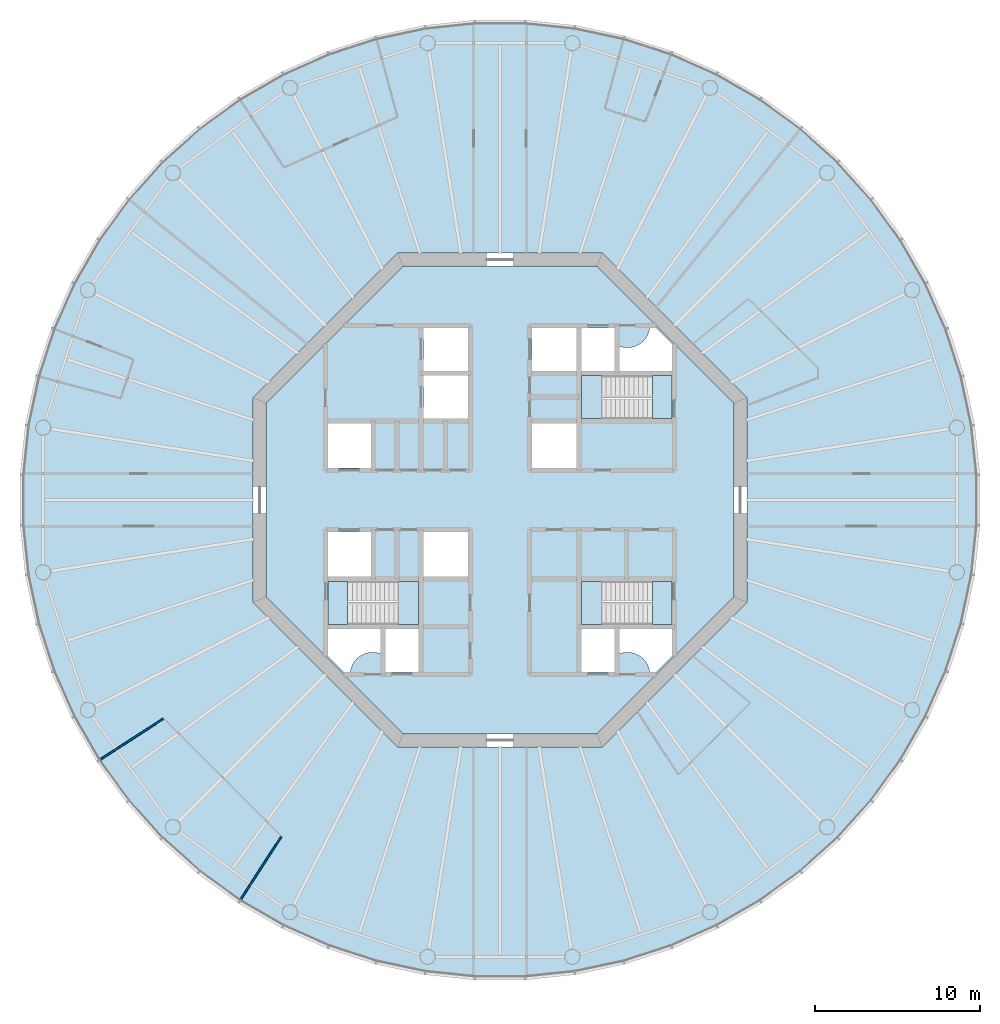
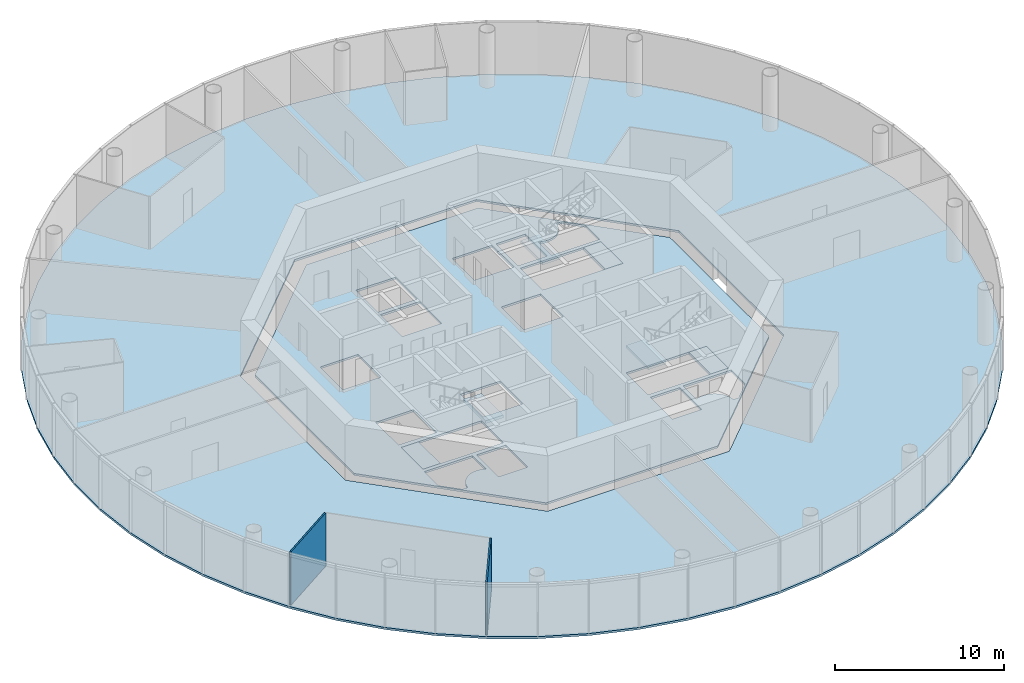
# One storey, part 2 of 13: 8 slabs, 2 walls, 3 elements without a shape of their own.
"""IFC4 building model written with IfcOpenShell, lengths in metres."""

from ifc_helpers import new_model, si_unit, direction, frame, frame_2d, origin, place, context, subcontext, project, spatial, polyline, rectangle, outline, extrude, material, layer, layer_set, type_object, element, aggregate, save


model = new_model("IFC4")

# Units and contexts
model_context = context("Model", 3, precision=1e-05, world=origin(), true_north=direction((0.0, 1.0)))
body_context = subcontext(model_context, "Body", "Model", "MODEL_VIEW")
ifc_project = project(units=[si_unit("LENGTHUNIT", "METRE"), si_unit("AREAUNIT", "SQUARE_METRE"), si_unit("VOLUMEUNIT", "CUBIC_METRE"), si_unit("PLANEANGLEUNIT", "RADIAN"), si_unit("MASSUNIT", "GRAM", prefix="KILO")], contexts=[model_context])

# Site, building, storey
site_placement = place(None, origin())
site = spatial("IfcSite", under=ifc_project, at=site_placement, CompositionType="ELEMENT")
building_placement = place(site_placement, origin())
building = spatial("IfcBuilding", under=site, at=building_placement, Name="Entoto Ring Tower", CompositionType="ELEMENT")
storey_placement = place(building_placement, frame((0.0, 0.0, 282.0)))
storey = spatial("IfcBuildingStorey", under=building, at=storey_placement, Name="L64", CompositionType="ELEMENT", Elevation=282.0)

# Slabs
ifc_material_1 = material(Name="Concrete C30/37", Category="concrete")
ifc_layer_1 = layer(ifc_material_1, 0.14990234375)
ifc_layer_set_1 = layer_set([ifc_layer_1], Name="Concrete C30/37")
slab_type_1 = type_object("IfcSlabType", Name="Composite floor slab 150 mm", PredefinedType="FLOOR", material=ifc_layer_set_1)
slab_1_placement = place(storey_placement, frame((0.0, 0.0, -0.14990234375)))
element("IfcSlab", 1, at=slab_1_placement, inside=storey, type_object=slab_type_1, Name="Floor slab L64", PredefinedType="FLOOR", context=body_context, shape_type="SweptSolid", body=[
    extrude(outline(polyline([(118.74169921875, 84.55224609375), (118.1083984375, 87.53173828125), (117.167236328125, 90.428466796875), (115.92822265625, 93.211181640625), (114.4052734375, 95.848876953125), (112.614990234375, 98.313232421875), (110.576904296875, 100.576904296875), (108.313232421875, 102.614990234375), (105.848876953125, 104.4052734375), (103.211181640625, 105.92822265625), (100.428466796875, 107.167236328125), (97.53173828125, 108.1083984375), (94.55224609375, 108.74169921875), (91.52294921875, 109.06005859375), (88.47705078125, 109.06005859375), (85.44775390625, 108.74169921875), (82.46826171875, 108.1083984375), (79.571533203125, 107.167236328125), (76.788818359375, 105.92822265625), (74.151123046875, 104.4052734375), (71.686767578125, 102.614990234375), (69.423095703125, 100.576904296875), (67.385009765625, 98.313232421875), (65.5947265625, 95.848876953125), (64.07177734375, 93.211181640625), (62.832763671875, 90.428466796875), (61.8916015625, 87.53173828125), (61.25830078125, 84.55224609375), (60.93994140625, 81.52294921875), (60.93994140625, 78.47705078125), (61.25830078125, 75.44775390625), (61.8916015625, 72.46826171875), (62.832763671875, 69.571533203125), (64.07177734375, 66.788818359375), (65.5947265625, 64.151123046875), (67.385009765625, 61.686767578125), (69.423095703125, 59.423095703125), (71.686767578125, 57.385009765625), (74.151123046875, 55.5947265625), (76.788818359375, 54.07177734375), (79.571533203125, 52.832763671875), (82.46826171875, 51.8916015625), (85.44775390625, 51.25830078125), (88.47705078125, 50.93994140625), (91.52294921875, 50.93994140625), (94.55224609375, 51.25830078125), (97.53173828125, 51.8916015625), (100.428466796875, 52.832763671875), (103.211181640625, 54.07177734375), (105.848876953125, 55.5947265625), (108.313232421875, 57.385009765625), (110.576904296875, 59.423095703125), (112.614990234375, 61.686767578125), (114.4052734375, 64.151123046875), (115.92822265625, 66.788818359375), (117.167236328125, 69.571533203125), (118.1083984375, 72.46826171875), (118.74169921875, 75.44775390625), (119.06005859375, 78.47705078125), (119.06005859375, 81.52294921875), (118.74169921875, 84.55224609375)]), holes=[polyline([(105.0, 73.786865234375), (105.0, 86.213134765625), (96.213134765625, 95.0), (83.786865234375, 95.0), (75.0, 86.213134765625), (75.0, 73.786865234375), (83.786865234375, 65.0), (96.213134765625, 65.0), (105.0, 73.786865234375)])]), origin(), (0.0, 0.0, 1.0), 0.14990234375),
])
ifc_material_2 = material(Name="Concrete C40/50", Category="concrete")
ifc_layer_2 = layer(ifc_material_2, 0.14990234375)
ifc_layer_set_2 = layer_set([ifc_layer_2], Name="Concrete C40/50")
slab_type_2 = type_object("IfcSlabType", Name="Core floor slab 150 mm reinforced concrete C40/50", PredefinedType="FLOOR", material=ifc_layer_set_2)
slab_2_placement = place(storey_placement, frame((0.0, 0.0, -0.14990234375)))
element("IfcSlab", 2, at=slab_2_placement, inside=storey, type_object=slab_type_2, Name="Core floor L64", PredefinedType="FLOOR", context=body_context, shape_type="SweptSolid", body=[
    extrude(outline(polyline([(104.199951171875, 74.1181640625), (104.199951171875, 85.8818359375), (95.8818359375, 94.199951171875), (84.1181640625, 94.199951171875), (75.800048828125, 85.8818359375), (75.800048828125, 74.1181640625), (84.1181640625, 65.800048828125), (95.8818359375, 65.800048828125), (104.199951171875, 74.1181640625)]), holes=[polyline([(100.449951171875, 84.949951171875), (100.449951171875, 87.550048828125), (94.949951171875, 87.550048828125), (94.949951171875, 84.949951171875), (100.449951171875, 84.949951171875)]), polyline([(85.050048828125, 72.449951171875), (85.050048828125, 75.050048828125), (79.550048828125, 75.050048828125), (79.550048828125, 72.449951171875), (85.050048828125, 72.449951171875)]), polyline([(100.449951171875, 72.449951171875), (100.449951171875, 75.050048828125), (94.949951171875, 75.050048828125), (94.949951171875, 72.449951171875), (100.449951171875, 72.449951171875)]), polyline([(94.949951171875, 90.449951171875), (94.949951171875, 87.85009765625), (96.949951171875, 87.85009765625), (96.949951171875, 90.449951171875), (94.949951171875, 90.449951171875)]), polyline([(94.949951171875, 72.14990234375), (94.949951171875, 69.550048828125), (96.949951171875, 69.550048828125), (96.949951171875, 72.14990234375), (94.949951171875, 72.14990234375)]), polyline([(83.050048828125, 72.14990234375), (83.050048828125, 69.550048828125), (85.050048828125, 69.550048828125), (85.050048828125, 72.14990234375), (83.050048828125, 72.14990234375)]), polyline([(79.550048828125, 81.949951171875), (82.14990234375, 81.949951171875), (82.14990234375, 84.64990234375), (79.550048828125, 84.64990234375), (79.550048828125, 81.949951171875)]), polyline([(79.550048828125, 75.35009765625), (82.14990234375, 75.35009765625), (82.14990234375, 78.050048828125), (79.550048828125, 78.050048828125), (79.550048828125, 75.35009765625)]), polyline([(91.949951171875, 87.85009765625), (94.64990234375, 87.85009765625), (94.64990234375, 90.449951171875), (91.949951171875, 90.449951171875), (91.949951171875, 87.85009765625)]), polyline([(91.949951171875, 81.949951171875), (94.64990234375, 81.949951171875), (94.64990234375, 84.64990234375), (91.949951171875, 84.64990234375), (91.949951171875, 81.949951171875)]), polyline([(85.35009765625, 75.35009765625), (88.050048828125, 75.35009765625), (88.050048828125, 78.050048828125), (85.35009765625, 78.050048828125), (85.35009765625, 75.35009765625)]), polyline([(85.35009765625, 84.949951171875), (88.050048828125, 84.949951171875), (88.050048828125, 87.550048828125), (85.35009765625, 87.550048828125), (85.35009765625, 84.949951171875)]), polyline([(85.35009765625, 87.85009765625), (88.050048828125, 87.85009765625), (88.050048828125, 90.449951171875), (85.35009765625, 90.449951171875), (85.35009765625, 87.85009765625)]), polyline([(97.199951171875, 89.368408203125), (97.199951171875, 87.800048828125), (100.5, 87.800048828125), (100.5, 89.4404296875), (99.4404296875, 90.5), (99.09521484375, 90.5), (99.093505859375, 90.4677734375), (99.07421875, 90.336669921875), (99.0419921875, 90.2080078125), (98.997314453125, 90.08349609375), (98.940673828125, 89.963623046875), (98.87255859375, 89.85009765625), (98.793701171875, 89.74365234375), (98.70458984375, 89.6455078125), (98.6064453125, 89.556396484375), (98.5, 89.4775390625), (98.386474609375, 89.409423828125), (98.2666015625, 89.352783203125), (98.141845703125, 89.30810546875), (98.013427734375, 89.27587890625), (97.88232421875, 89.256591796875), (97.75, 89.25), (97.61767578125, 89.256591796875), (97.486572265625, 89.27587890625), (97.358154296875, 89.30810546875), (97.2333984375, 89.352783203125), (97.199951171875, 89.368408203125)]), polyline([(80.5595703125, 69.5), (80.90478515625, 69.5), (80.906494140625, 69.5322265625), (80.92578125, 69.663330078125), (80.9580078125, 69.7919921875), (81.002685546875, 69.91650390625), (81.059326171875, 70.036376953125), (81.12744140625, 70.14990234375), (81.206298828125, 70.25634765625), (81.29541015625, 70.3544921875), (81.3935546875, 70.443603515625), (81.5, 70.5224609375), (81.613525390625, 70.590576171875), (81.7333984375, 70.647216796875), (81.858154296875, 70.69189453125), (81.986572265625, 70.72412109375), (82.11767578125, 70.743408203125), (82.25, 70.75), (82.38232421875, 70.743408203125), (82.513427734375, 70.72412109375), (82.641845703125, 70.69189453125), (82.7666015625, 70.647216796875), (82.800048828125, 70.631591796875), (82.800048828125, 72.199951171875), (79.5, 72.199951171875), (79.5, 70.5595703125), (80.5595703125, 69.5)]), polyline([(99.09521484375, 69.5), (99.4404296875, 69.5), (100.5, 70.5595703125), (100.5, 72.199951171875), (97.199951171875, 72.199951171875), (97.199951171875, 70.631591796875), (97.2333984375, 70.647216796875), (97.358154296875, 70.69189453125), (97.486572265625, 70.72412109375), (97.61767578125, 70.743408203125), (97.75, 70.75), (97.88232421875, 70.743408203125), (98.013427734375, 70.72412109375), (98.141845703125, 70.69189453125), (98.2666015625, 70.647216796875), (98.386474609375, 70.590576171875), (98.5, 70.5224609375), (98.6064453125, 70.443603515625), (98.70458984375, 70.3544921875), (98.793701171875, 70.25634765625), (98.87255859375, 70.14990234375), (98.940673828125, 70.036376953125), (98.997314453125, 69.91650390625), (99.0419921875, 69.7919921875), (99.07421875, 69.663330078125), (99.093505859375, 69.5322265625), (99.09521484375, 69.5)])]), origin(), (0.0, 0.0, 1.0), 0.14990234375),
])

# Stair, slabs
ifc_material_3 = material(Name="Concrete C40/50", Category="concrete")
stair_type = type_object("IfcStairType", Name="Exit stair 1200 mm dog-leg reinforced concrete", PredefinedType="HALF_TURN_STAIR", material=ifc_material_3)
stair_1_placement = place(storey_placement, origin())
stair_1 = element("IfcStair", 3, at=stair_1_placement, inside=storey, type_object=stair_type, Name="Exit stair 1", PredefinedType="HALF_TURN_STAIR")
ifc_material_4 = material(Name="Concrete C40/50", Category="concrete")
ifc_layer_3 = layer(ifc_material_4, 0.199951171875)
ifc_layer_set_3 = layer_set([ifc_layer_3], Name="Concrete C40/50")
slab_type_3 = type_object("IfcSlabType", Name="Stair landing 200 mm reinforced concrete", PredefinedType="LANDING", material=ifc_layer_set_3)
slab_3_placement = place(storey_placement, frame((0.0, 0.0, -0.199951171875)))
slab_3 = element("IfcSlab", 4, at=slab_3_placement, type_object=slab_type_3, Name="ST1 landing 1", PredefinedType="LANDING", context=body_context, shape_type="SweptSolid", body=[
    extrude(outline(polyline([(100.449951171875, 84.949951171875), (100.449951171875, 87.550048828125), (99.25, 87.550048828125), (99.25, 84.949951171875), (100.449951171875, 84.949951171875)])), origin(), (0.0, 0.0, 1.0), 0.199951171875),
])
slab_4_placement = place(storey_placement, frame((0.0, 0.0, 1.800048828125)))
slab_4 = element("IfcSlab", 5, at=slab_4_placement, type_object=slab_type_3, Name="ST1 landing 2", PredefinedType="LANDING", context=body_context, shape_type="SweptSolid", body=[
    extrude(outline(polyline([(94.949951171875, 84.949951171875), (96.169921875, 84.949951171875), (96.169921875, 87.550048828125), (94.949951171875, 87.550048828125), (94.949951171875, 84.949951171875)])), origin(), (0.0, 0.0, 1.0), 0.199951171875),
])
aggregate(stair_1, [slab_3, slab_4])

stair_2_placement = place(storey_placement, origin())
stair_2 = element("IfcStair", 6, at=stair_2_placement, inside=storey, type_object=stair_type, Name="Exit stair 2", PredefinedType="HALF_TURN_STAIR")
slab_5_placement = place(storey_placement, frame((0.0, 0.0, -0.199951171875)))
slab_5 = element("IfcSlab", 7, at=slab_5_placement, type_object=slab_type_3, Name="ST2 landing 1", PredefinedType="LANDING", context=body_context, shape_type="SweptSolid", body=[
    extrude(outline(polyline([(80.75, 72.449951171875), (80.75, 75.050048828125), (79.550048828125, 75.050048828125), (79.550048828125, 72.449951171875), (80.75, 72.449951171875)])), origin(), (0.0, 0.0, 1.0), 0.199951171875),
])
slab_6_placement = place(storey_placement, frame((0.0, 0.0, 1.800048828125)))
slab_6 = element("IfcSlab", 8, at=slab_6_placement, type_object=slab_type_3, Name="ST2 landing 2", PredefinedType="LANDING", context=body_context, shape_type="SweptSolid", body=[
    extrude(outline(polyline([(83.830078125, 72.449951171875), (85.050048828125, 72.449951171875), (85.050048828125, 75.050048828125), (83.830078125, 75.050048828125), (83.830078125, 72.449951171875)])), origin(), (0.0, 0.0, 1.0), 0.199951171875),
])
aggregate(stair_2, [slab_5, slab_6])

stair_3_placement = place(storey_placement, origin())
stair_3 = element("IfcStair", 9, at=stair_3_placement, inside=storey, type_object=stair_type, Name="Exit stair 3", PredefinedType="HALF_TURN_STAIR")
slab_7_placement = place(storey_placement, frame((0.0, 0.0, -0.199951171875)))
slab_7 = element("IfcSlab", 10, at=slab_7_placement, type_object=slab_type_3, Name="ST3 landing 1", PredefinedType="LANDING", context=body_context, shape_type="SweptSolid", body=[
    extrude(outline(polyline([(100.449951171875, 72.449951171875), (100.449951171875, 75.050048828125), (99.25, 75.050048828125), (99.25, 72.449951171875), (100.449951171875, 72.449951171875)])), origin(), (0.0, 0.0, 1.0), 0.199951171875),
])
slab_8_placement = place(storey_placement, frame((0.0, 0.0, 1.800048828125)))
slab_8 = element("IfcSlab", 11, at=slab_8_placement, type_object=slab_type_3, Name="ST3 landing 2", PredefinedType="LANDING", context=body_context, shape_type="SweptSolid", body=[
    extrude(outline(polyline([(94.949951171875, 72.449951171875), (96.169921875, 72.449951171875), (96.169921875, 75.050048828125), (94.949951171875, 75.050048828125), (94.949951171875, 72.449951171875)])), origin(), (0.0, 0.0, 1.0), 0.199951171875),
])
aggregate(stair_3, [slab_7, slab_8])

# Walls
ifc_material_5 = material(Name="Plasterboard on steel studs", Category="steel")
ifc_layer_4 = layer(ifc_material_5, 0.10009765625)
ifc_layer_set_4 = layer_set([ifc_layer_4], Name="Plasterboard on steel studs")
wall_type = type_object("IfcWallType", Name="Partition 100 mm plasterboard on steel studs", PredefinedType="PARTITIONING", material=ifc_layer_set_4)
for number, where, z_axis, x_axis, name in (
    (12, (65.72900390625, 64.238037109375, 0.0), (0.0, 0.0, 1.0), (0.838646674443, 0.544675826016, 0.0), "partition-L64-020"),
    (13, (74.238037109375, 55.72900390625, 0.0), (0.0, 0.0, 1.0), (0.544675826016, 0.838646674443, 0.0), "partition-L64-021"),
):
    element("IfcWall", number, at=place(storey_placement, frame(where, z_axis=z_axis, x_axis=x_axis)), inside=storey, type_object=wall_type, Name=name, PredefinedType="PARTITIONING", context=body_context, shape_type="SweptSolid", body=[
        extrude(rectangle(XDim=4.53125, YDim=0.10009765625, at=frame_2d((2.265625, 0.0))), origin(), (0.0, 0.0, 1.0), 3.85009765625),
    ])

save(model, "model.ifc")
